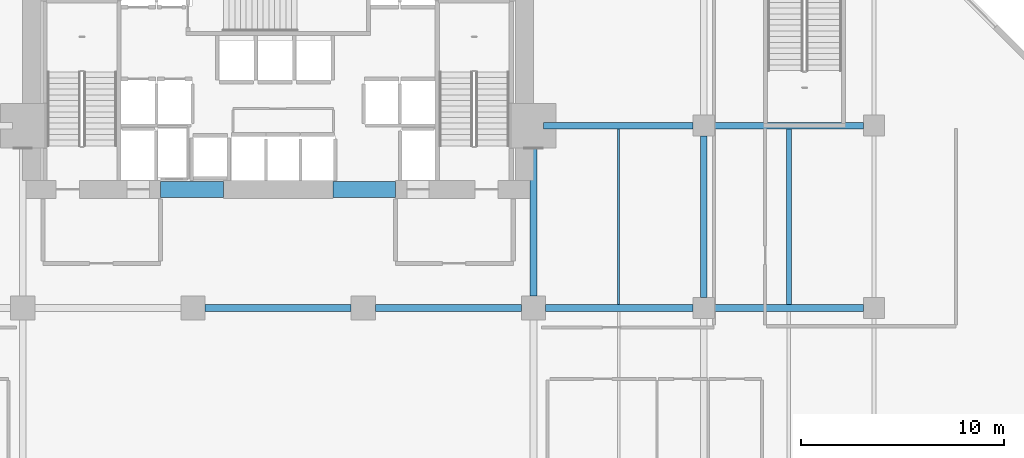
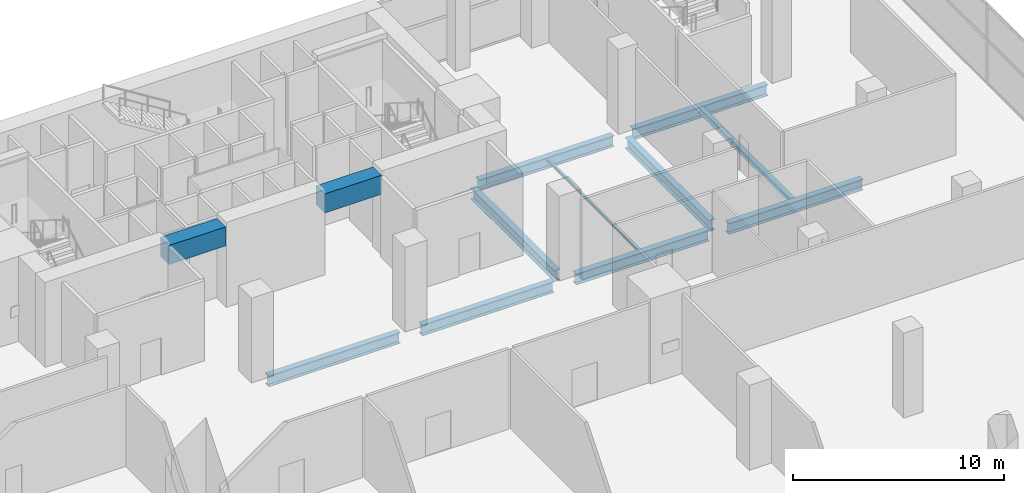
# One storey, part 22 of 39: 12 beams.
"""IFC4 building model written with IfcOpenShell, lengths in metres."""

from ifc_helpers import new_model, si_unit, direction, frame, origin, origin_2d, place, context, subcontext, project, spatial, rectangle, i_section, extrude, material, material_profile, profile_set, type_object, element, save


model = new_model("IFC4")

# Units and contexts
model_context = context("Model", 3, precision=1e-05, world=origin(), true_north=direction((0.0, 1.0)))
body_context = subcontext(model_context, "Body", "Model", "MODEL_VIEW")
ifc_project = project(units=[si_unit("LENGTHUNIT", "METRE"), si_unit("AREAUNIT", "SQUARE_METRE"), si_unit("VOLUMEUNIT", "CUBIC_METRE"), si_unit("PLANEANGLEUNIT", "RADIAN"), si_unit("MASSUNIT", "GRAM", prefix="KILO")], contexts=[model_context])

# Site, building, storey
site_placement = place(None, origin())
site = spatial("IfcSite", under=ifc_project, at=site_placement, CompositionType="ELEMENT")
building_placement = place(site_placement, origin())
building = spatial("IfcBuilding", under=site, at=building_placement, Name="Maruvema Waterfront Hotel and Observation Tower", CompositionType="ELEMENT")
storey_placement = place(building_placement, frame((0.0, 0.0, 16.449951171875)))
storey = spatial("IfcBuildingStorey", under=building, at=storey_placement, Name="L03", CompositionType="ELEMENT", Elevation=16.449951171875)

# Beams
ifc_material_1 = material(Name="Concrete C60/75", Category="concrete")
ifc_material_profile_1 = material_profile(ifc_material_1, rectangle(XDim=0.800048828125, YDim=1.10009765625, at=origin_2d()), Name="CB800x1100")
ifc_profile_set_1 = profile_set([ifc_material_profile_1], Name="Concrete C60/75")
beam_type_1 = type_object("IfcBeamType", Name="Core Coupling Lintel Beam CB800x1100", PredefinedType="LINTEL", material=ifc_profile_set_1)
for number, where, z_axis, x_axis, name in (
    (1, (32.0, 41.85009765625, 4.070068359375), (1.0, 0.0, 0.0), (0.0, 1.0, 0.0), "L03 Core Coupling Lintel Beam West"),
    (2, (40.5, 41.85009765625, 4.070068359375), (1.0, 0.0, 0.0), (0.0, 1.0, 0.0), "L03 Core Coupling Lintel Beam East"),
):
    element("IfcBeam", number, at=place(storey_placement, frame(where, z_axis=z_axis, x_axis=x_axis)), inside=storey, type_object=beam_type_1, Name=name, PredefinedType="LINTEL", context=body_context, shape_type="SweptSolid", body=[
        extrude(rectangle(XDim=0.800048828125, YDim=1.10009765625, at=origin_2d()), origin(), (0.0, 0.0, 1.0), 3.10009765625),
    ])
ifc_material_2 = material(Name="Steel ASTM A572 Grade 50", Category="steel")
ifc_material_profile_2 = material_profile(ifc_material_2, i_section(OverallWidth=0.3291015625, OverallDepth=0.635009765625, WebThickness=0.017822265625, FlangeThickness=0.031005859375, FilletRadius=0.01806640625, at=origin_2d()), Name="W610x241.0")
ifc_profile_set_2 = profile_set([ifc_material_profile_2], Name="Steel ASTM A572 Grade 50")
beam_type_2 = type_object("IfcBeamType", Name="Primary Floor Girder W610x241.0", PredefinedType="BEAM", material=ifc_profile_set_2)
for number, where, z_axis, x_axis, name in (
    (3, (34.199951171875, 36.0, -0.597412109375), (1.0, 0.0, 0.0), (0.0, 1.0, 0.0), "L03 Floor Girder EW-28"),
    (4, (42.60009765625, 36.0, -0.597412109375), (1.0, 0.0, 0.0), (0.0, 1.0, 0.0), "L03 Floor Girder EW-29"),
):
    element("IfcBeam", number, at=place(storey_placement, frame(where, z_axis=z_axis, x_axis=x_axis)), inside=storey, type_object=beam_type_2, Name=name, PredefinedType="BEAM", context=body_context, shape_type="SweptSolid", body=[
        extrude(i_section(OverallWidth=0.3291015625, OverallDepth=0.635009765625, WebThickness=0.017822265625, FlangeThickness=0.031005859375, FilletRadius=0.01806640625, at=origin_2d()), origin(), (0.0, 0.0, 1.0), 7.199951171875),
    ])
beam_1_placement = place(storey_placement, frame((51.0, 36.0, -0.597412109375), z_axis=(1.0, 0.0, 0.0), x_axis=(0.0, 1.0, 0.0)))
element("IfcBeam", 5, at=beam_1_placement, inside=storey, type_object=beam_type_2, Name="L03 Floor Girder EW-30", PredefinedType="BEAM", context=body_context, shape_type="SweptSolid", body=[
    extrude(i_section(OverallWidth=0.3291015625, OverallDepth=0.635009765625, WebThickness=0.017822265625, FlangeThickness=0.031005859375, FilletRadius=0.01806640625, at=origin_2d()), origin(), (0.0, 0.0, 1.0), 7.27490234375),
])
beam_2_placement = place(storey_placement, frame((59.324951171875, 36.0, -0.597412109375), z_axis=(1.0, 0.0, 0.0), x_axis=(0.0, 1.0, 0.0)))
element("IfcBeam", 6, at=beam_2_placement, inside=storey, type_object=beam_type_2, Name="L03 Floor Girder EW-31", PredefinedType="BEAM", context=body_context, shape_type="SweptSolid", body=[
    extrude(i_section(OverallWidth=0.3291015625, OverallDepth=0.635009765625, WebThickness=0.017822265625, FlangeThickness=0.031005859375, FilletRadius=0.01806640625, at=origin_2d()), origin(), (0.0, 0.0, 1.0), 7.35009765625),
])
beam_3_placement = place(storey_placement, frame((50.89990234375, 45.0, -0.597412109375), z_axis=(1.0, 0.0, 0.0), x_axis=(0.0, 1.0, 0.0)))
element("IfcBeam", 7, at=beam_3_placement, inside=storey, type_object=beam_type_2, Name="L03 Floor Girder EW-34", PredefinedType="BEAM", context=body_context, shape_type="SweptSolid", body=[
    extrude(i_section(OverallWidth=0.3291015625, OverallDepth=0.635009765625, WebThickness=0.017822265625, FlangeThickness=0.031005859375, FilletRadius=0.01806640625, at=origin_2d()), origin(), (0.0, 0.0, 1.0), 7.375),
])
beam_4_placement = place(storey_placement, frame((59.324951171875, 45.0, -0.597412109375), z_axis=(1.0, 0.0, 0.0), x_axis=(0.0, 1.0, 0.0)))
element("IfcBeam", 8, at=beam_4_placement, inside=storey, type_object=beam_type_2, Name="L03 Floor Girder EW-35", PredefinedType="BEAM", context=body_context, shape_type="SweptSolid", body=[
    extrude(i_section(OverallWidth=0.3291015625, OverallDepth=0.635009765625, WebThickness=0.017822265625, FlangeThickness=0.031005859375, FilletRadius=0.01806640625, at=origin_2d()), origin(), (0.0, 0.0, 1.0), 7.35009765625),
])
beam_5_placement = place(storey_placement, frame((50.39990234375, 36.60009765625, -0.597412109375), z_axis=(0.0, 1.0, 0.0), x_axis=(-1.0, 0.0, 0.0)))
element("IfcBeam", 9, at=beam_5_placement, inside=storey, type_object=beam_type_2, Name="L03 Floor Girder NS-22", PredefinedType="BEAM", context=body_context, shape_type="SweptSolid", body=[
    extrude(i_section(OverallWidth=0.3291015625, OverallDepth=0.635009765625, WebThickness=0.017822265625, FlangeThickness=0.031005859375, FilletRadius=0.01806640625, at=origin_2d()), origin(), (0.0, 0.0, 1.0), 7.89990234375),
])
beam_6_placement = place(storey_placement, frame((58.800048828125, 36.52490234375, -0.597412109375), z_axis=(0.0, 1.0, 0.0), x_axis=(-1.0, 0.0, 0.0)))
element("IfcBeam", 10, at=beam_6_placement, inside=storey, type_object=beam_type_2, Name="L03 Floor Girder NS-27", PredefinedType="BEAM", context=body_context, shape_type="SweptSolid", body=[
    extrude(i_section(OverallWidth=0.3291015625, OverallDepth=0.635009765625, WebThickness=0.017822265625, FlangeThickness=0.031005859375, FilletRadius=0.01806640625, at=origin_2d()), origin(), (0.0, 0.0, 1.0), 7.9501953125),
])
ifc_material_3 = material(Name="Steel ASTM A572 Grade 50", Category="steel")
ifc_material_profile_3 = material_profile(ifc_material_3, i_section(OverallWidth=0.10009765625, OverallDepth=0.153076171875, WebThickness=0.005859375, FlangeThickness=0.007080078125, FilletRadius=0.008056640625, at=origin_2d()), Name="W150x18.0")
ifc_profile_set_3 = profile_set([ifc_material_profile_3], Name="Steel ASTM A572 Grade 50")
beam_type_3 = type_object("IfcBeamType", Name="Secondary Floor Joist W150x18.0", PredefinedType="JOIST", material=ifc_profile_set_3)
beam_7_placement = place(storey_placement, frame((54.60009765625, 36.16455078125, -0.3564453125), z_axis=(0.0, 1.0, 0.0), x_axis=(-1.0, 0.0, 0.0)))
element("IfcBeam", 11, at=beam_7_placement, inside=storey, type_object=beam_type_3, Name="L03 Secondary Floor Joist JS-16", PredefinedType="JOIST", context=body_context, shape_type="SweptSolid", body=[
    extrude(i_section(OverallWidth=0.10009765625, OverallDepth=0.153076171875, WebThickness=0.005859375, FlangeThickness=0.007080078125, FilletRadius=0.008056640625, at=origin_2d()), origin(), (0.0, 0.0, 1.0), 8.6708984375),
])
ifc_material_4 = material(Name="Steel ASTM A572 Grade 50", Category="steel")
ifc_material_profile_4 = material_profile(ifc_material_4, i_section(OverallWidth=0.25390625, OverallDepth=0.305908203125, WebThickness=0.0087890625, FlangeThickness=0.0146484375, FilletRadius=0.014892578125, at=origin_2d()), Name="W310x79.0")
ifc_profile_set_4 = profile_set([ifc_material_profile_4], Name="Steel ASTM A572 Grade 50")
beam_type_4 = type_object("IfcBeamType", Name="Secondary Floor Joist W310x79.0", PredefinedType="JOIST", material=ifc_profile_set_4)
beam_8_placement = place(storey_placement, frame((63.0, 36.16455078125, -0.432861328125), z_axis=(0.0, 1.0, 0.0), x_axis=(-1.0, 0.0, 0.0)))
element("IfcBeam", 12, at=beam_8_placement, inside=storey, type_object=beam_type_4, Name="L03 Secondary Floor Joist JS-20", PredefinedType="JOIST", context=body_context, shape_type="SweptSolid", body=[
    extrude(i_section(OverallWidth=0.25390625, OverallDepth=0.305908203125, WebThickness=0.0087890625, FlangeThickness=0.0146484375, FilletRadius=0.014892578125, at=origin_2d()), origin(), (0.0, 0.0, 1.0), 8.6708984375),
])

save(model, "model.ifc")
